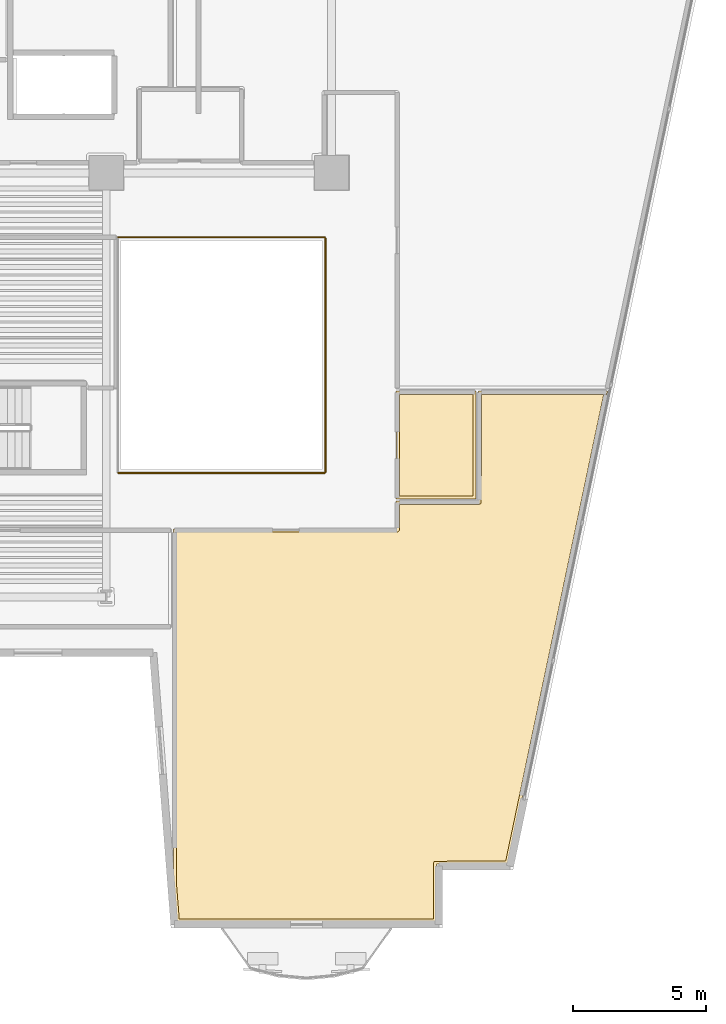
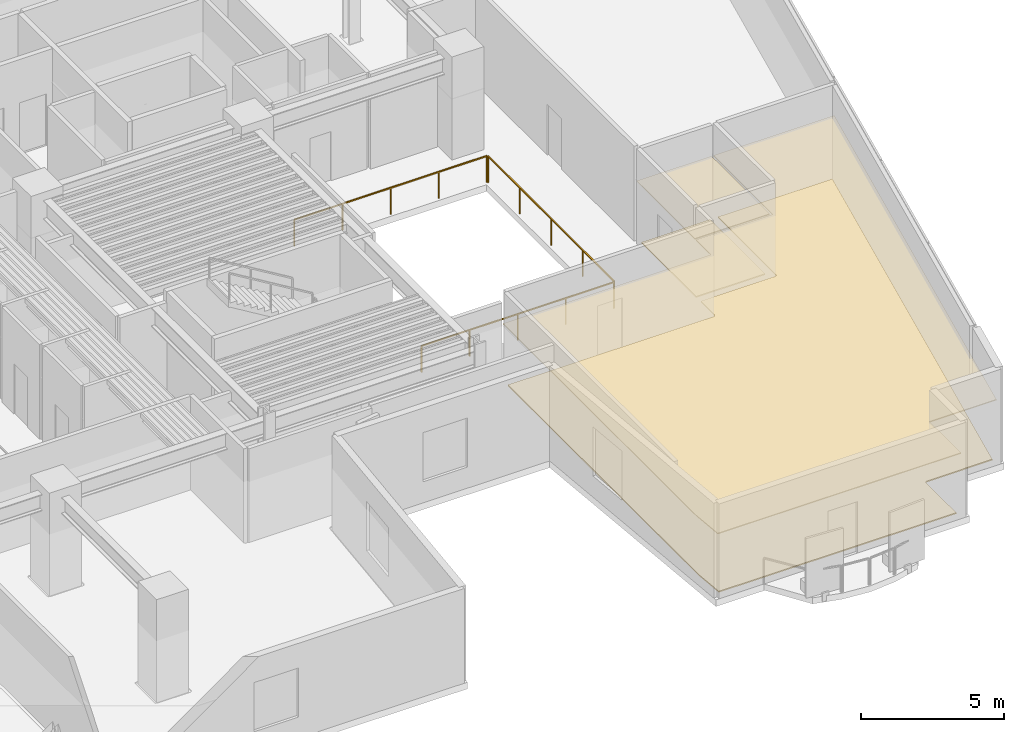
# One storey, part 9 of 11: 4 coverings, 3 railings.
"""IFC4 building model written with IfcOpenShell, lengths in metres."""

from ifc_helpers import new_model, si_unit, direction, frame, origin, origin_2d, place, context, subcontext, project, spatial, polyline, rectangle, outline, extrude, material, layer, layer_set, type_object, element, save


model = new_model("IFC4")

# Units and contexts
model_context = context("Model", 3, precision=1e-05, world=origin(), true_north=direction((0.0, 1.0)))
body_context = subcontext(model_context, "Body", "Model", "MODEL_VIEW")
ifc_project = project(units=[si_unit("LENGTHUNIT", "METRE"), si_unit("AREAUNIT", "SQUARE_METRE"), si_unit("VOLUMEUNIT", "CUBIC_METRE"), si_unit("PLANEANGLEUNIT", "RADIAN"), si_unit("MASSUNIT", "GRAM", prefix="KILO")], contexts=[model_context])

# Site, building, storey
site_placement = place(None, origin())
site = spatial("IfcSite", under=ifc_project, at=site_placement, CompositionType="ELEMENT")
building_placement = place(site_placement, origin())
building = spatial("IfcBuilding", under=site, at=building_placement, Name="Caeloran Harvest Quay", CompositionType="ELEMENT")
storey_placement = place(building_placement, frame((0.0, 0.0, 101.800048828125)))
storey = spatial("IfcBuildingStorey", under=building, at=storey_placement, Name="L23", CompositionType="ELEMENT", Elevation=101.800048828125)

# Coverings
ifc_material_1 = material(Name="Perforated Mineral-Fibre Acoustic Ceiling Tile", Category="ceiling")
ifc_layer_1 = layer(ifc_material_1, 0.0400390625, Name="Perforated Mineral-Fibre Acoustic Ceiling Tile")
ifc_layer_set_1 = layer_set([ifc_layer_1], Name="Perforated Mineral-Fibre Acoustic Ceiling Tile")
covering_type_1 = type_object("IfcCoveringType", Name="COV-CEILING-ACOUSTIC", PredefinedType="CEILING", material=ifc_layer_set_1)
covering_1_placement = place(storey_placement, frame((0.0, 0.0, 2.599853515625)))
element("IfcCovering", 1, at=covering_1_placement, inside=storey, type_object=covering_type_1, Name="Biophilic Architecture Atelier Acoustic Ceiling", PredefinedType="CEILING", context=body_context, shape_type="SweptSolid", body=[
    extrude(outline(polyline([(36.5400390625, 17.56005859375), (44.93994140625, 17.56005859375), (44.93994140625, 18.610107421875), (48.0400390625, 18.610107421875), (48.0400390625, 22.760009765625), (52.918212890625, 22.760009765625), (49.170654296875, 4.919921875), (46.467041015625, 4.919921875), (46.467041015625, 2.719970703125), (36.64404296875, 2.719970703125), (36.5400390625, 4.052490234375), (36.5400390625, 17.56005859375)])), origin(), (0.0, 0.0, 1.0), 0.0400390625),
])
covering_2_placement = place(storey_placement, frame((0.0, 0.0, 2.599853515625)))
element("IfcCovering", 2, at=covering_2_placement, inside=storey, type_object=covering_type_1, Name="Principal Partner Office Acoustic Ceiling", PredefinedType="CEILING", context=body_context, shape_type="SweptSolid", body=[
    extrude(outline(polyline([(44.93994140625, 18.68994140625), (44.93994140625, 22.760009765625), (47.9599609375, 22.760009765625), (47.9599609375, 18.68994140625), (44.93994140625, 18.68994140625)])), origin(), (0.0, 0.0, 1.0), 0.0400390625),
])
ifc_material_2 = material(Name="Calcium-Sulphate Raised Access Floor and Terrazzo Finish", Category="flooring")
ifc_layer_2 = layer(ifc_material_2, 0.050048828125, Name="Calcium-Sulphate Raised Access Floor and Terrazzo Finish")
ifc_layer_set_2 = layer_set([ifc_layer_2], Name="Calcium-Sulphate Raised Access Floor and Terrazzo Finish")
covering_type_2 = type_object("IfcCoveringType", Name="COV-FLOOR-RAISED", PredefinedType="FLOORING", material=ifc_layer_set_2)
covering_3_placement = place(storey_placement, origin())
element("IfcCovering", 3, at=covering_3_placement, inside=storey, type_object=covering_type_2, Name="Biophilic Architecture Atelier Raised Finish Flooring", PredefinedType="FLOORING", context=body_context, shape_type="SweptSolid", body=[
    extrude(outline(polyline([(36.659912109375, 17.43994140625), (45.003173828125, 17.443359375), (45.0595703125, 17.51220703125), (45.06005859375, 18.489990234375), (48.080078125, 18.489990234375), (48.146484375, 18.525634765625), (48.159912109375, 22.639892578125), (52.7705078125, 22.639892578125), (49.0732421875, 5.0400390625), (46.376220703125, 5.021728515625), (46.346923828125, 4.9599609375), (46.346923828125, 2.840087890625), (36.7548828125, 2.840087890625), (36.659912109375, 4.05712890625), (36.659912109375, 17.43994140625)])), origin(), (0.0, 0.0, 1.0), 0.050048828125),
])
covering_4_placement = place(storey_placement, origin())
element("IfcCovering", 4, at=covering_4_placement, inside=storey, type_object=covering_type_2, Name="Principal Partner Office Raised Finish Flooring", PredefinedType="FLOORING", context=body_context, shape_type="SweptSolid", body=[
    extrude(outline(polyline([(45.06005859375, 18.81005859375), (45.06005859375, 22.639892578125), (47.840087890625, 22.639892578125), (47.840087890625, 18.81005859375), (45.06005859375, 18.81005859375)])), origin(), (0.0, 0.0, 1.0), 0.050048828125),
])

# Railings
ifc_material_3 = material(Name="Powder-Coated Steel Post and Laminated Glass Guardrail", Category="steel")
ifc_layer_3 = layer(ifc_material_3, 0.06005859375, Name="Powder-Coated Steel Post and Laminated Glass Guardrail")
ifc_layer_set_3 = layer_set([ifc_layer_3], Name="Powder-Coated Steel Post and Laminated Glass Guardrail")
railing_type = type_object("IfcRailingType", Name="GUARD-ATRIUM-1150", PredefinedType="GUARDRAIL", material=ifc_layer_set_3)
railing_1_placement = place(storey_placement, frame((34.4619140625, 19.679931640625, 0.0)))
element("IfcRailing", 5, at=railing_1_placement, inside=storey, type_object=railing_type, Name="L23 East Botanical Lightwell Guardrail Seg 1", PredefinedType="GUARDRAIL", context=body_context, shape_type="SweptSolid", body=[
    extrude(rectangle(XDim=0.048095703125, YDim=0.048095703125, at=origin_2d()), frame((0.0, 0.0, 1.1259765625), z_axis=(1.0, 0.0, 0.0), x_axis=(0.0, 1.0, 0.0)), (0.0, 0.0, 1.0), 7.776123046875),
    extrude(rectangle(XDim=0.0419921875, YDim=0.0419921875, at=origin_2d()), origin(), (0.0, 0.0, 1.0), 1.101806640625),
    extrude(rectangle(XDim=0.0419921875, YDim=0.0419921875, at=origin_2d()), frame((1.944091796875, 0.0, 0.0)), (0.0, 0.0, 1.0), 1.101806640625),
    extrude(rectangle(XDim=0.0419921875, YDim=0.0419921875, at=origin_2d()), frame((3.88818359375, 0.0, 0.0)), (0.0, 0.0, 1.0), 1.101806640625),
    extrude(rectangle(XDim=0.0419921875, YDim=0.0419921875, at=origin_2d()), frame((5.83203125, 0.0, 0.0)), (0.0, 0.0, 1.0), 1.101806640625),
    extrude(rectangle(XDim=0.0419921875, YDim=0.0419921875, at=origin_2d()), frame((7.776123046875, 0.0, 0.0)), (0.0, 0.0, 1.0), 1.101806640625),
])
railing_2_placement = place(storey_placement, frame((42.27001953125, 19.7119140625, 0.0)))
element("IfcRailing", 6, at=railing_2_placement, inside=storey, type_object=railing_type, Name="L23 East Botanical Lightwell Guardrail Seg 2", PredefinedType="GUARDRAIL", context=body_context, shape_type="SweptSolid", body=[
    extrude(rectangle(XDim=0.048095703125, YDim=0.048095703125, at=origin_2d()), frame((0.0, 0.0, 1.1259765625), z_axis=(0.0, 1.0, 0.0), x_axis=(-1.0, 0.0, 0.0)), (0.0, 0.0, 1.0), 8.826171875),
    extrude(rectangle(XDim=0.0419921875, YDim=0.0419921875, at=origin_2d()), origin(), (0.0, 0.0, 1.0), 1.101806640625),
    extrude(rectangle(XDim=0.0419921875, YDim=0.0419921875, at=origin_2d()), frame((0.0, 2.20654296875, 0.0)), (0.0, 0.0, 1.0), 1.101806640625),
    extrude(rectangle(XDim=0.0419921875, YDim=0.0419921875, at=origin_2d()), frame((0.0, 4.4130859375, 0.0)), (0.0, 0.0, 1.0), 1.101806640625),
    extrude(rectangle(XDim=0.0419921875, YDim=0.0419921875, at=origin_2d()), frame((0.0, 6.61962890625, 0.0)), (0.0, 0.0, 1.0), 1.101806640625),
    extrude(rectangle(XDim=0.0419921875, YDim=0.0419921875, at=origin_2d()), frame((0.0, 8.826171875, 0.0)), (0.0, 0.0, 1.0), 1.101806640625),
])
railing_3_placement = place(storey_placement, frame((42.238037109375, 28.570068359375, 0.0)))
element("IfcRailing", 7, at=railing_3_placement, inside=storey, type_object=railing_type, Name="L23 East Botanical Lightwell Guardrail Seg 3", PredefinedType="GUARDRAIL", context=body_context, shape_type="SweptSolid", body=[
    extrude(rectangle(XDim=0.048095703125, YDim=0.048095703125, at=origin_2d()), frame((0.0, 0.0, 1.1259765625), z_axis=(-1.0, 0.0, 0.0), x_axis=(0.0, -1.0, 0.0)), (0.0, 0.0, 1.0), 7.776123046875),
    extrude(rectangle(XDim=0.0419921875, YDim=0.0419921875, at=origin_2d()), origin(), (0.0, 0.0, 1.0), 1.101806640625),
    extrude(rectangle(XDim=0.0419921875, YDim=0.0419921875, at=origin_2d()), frame((-1.944091796875, 0.0, 0.0)), (0.0, 0.0, 1.0), 1.101806640625),
    extrude(rectangle(XDim=0.0419921875, YDim=0.0419921875, at=origin_2d()), frame((-3.88818359375, 0.0, 0.0)), (0.0, 0.0, 1.0), 1.101806640625),
    extrude(rectangle(XDim=0.0419921875, YDim=0.0419921875, at=origin_2d()), frame((-5.83203125, 0.0, 0.0)), (0.0, 0.0, 1.0), 1.101806640625),
    extrude(rectangle(XDim=0.0419921875, YDim=0.0419921875, at=origin_2d()), frame((-7.776123046875, 0.0, 0.0)), (0.0, 0.0, 1.0), 1.101806640625),
])

save(model, "model.ifc")
